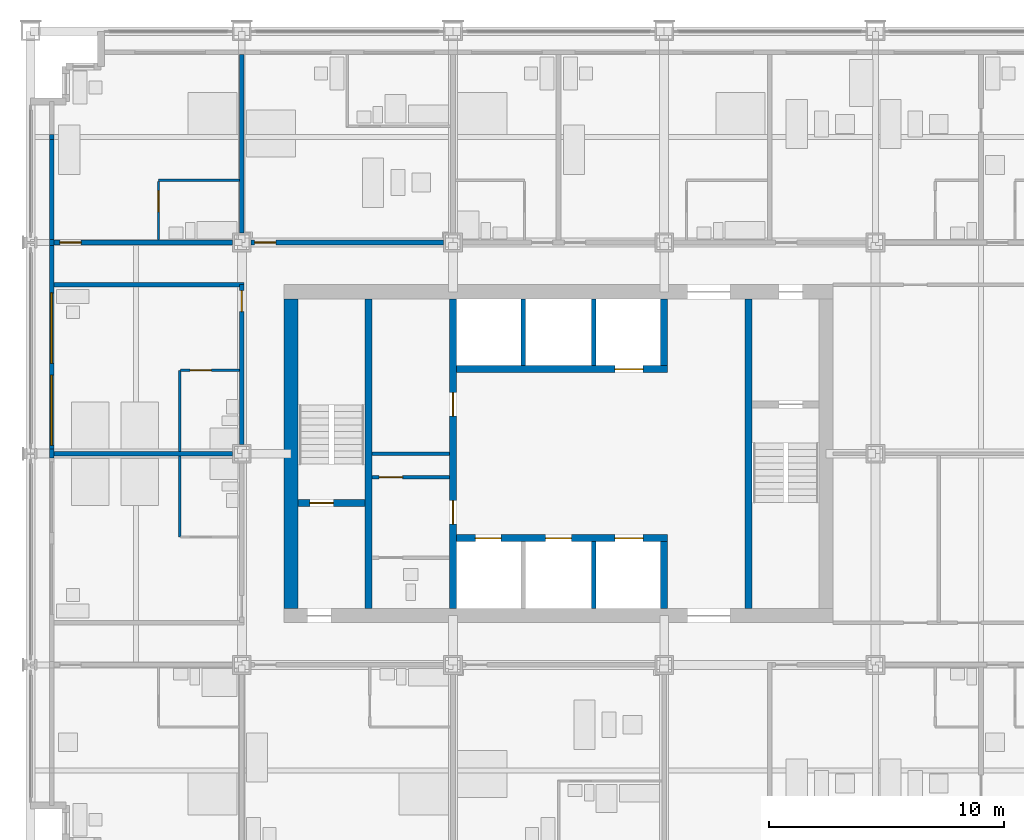
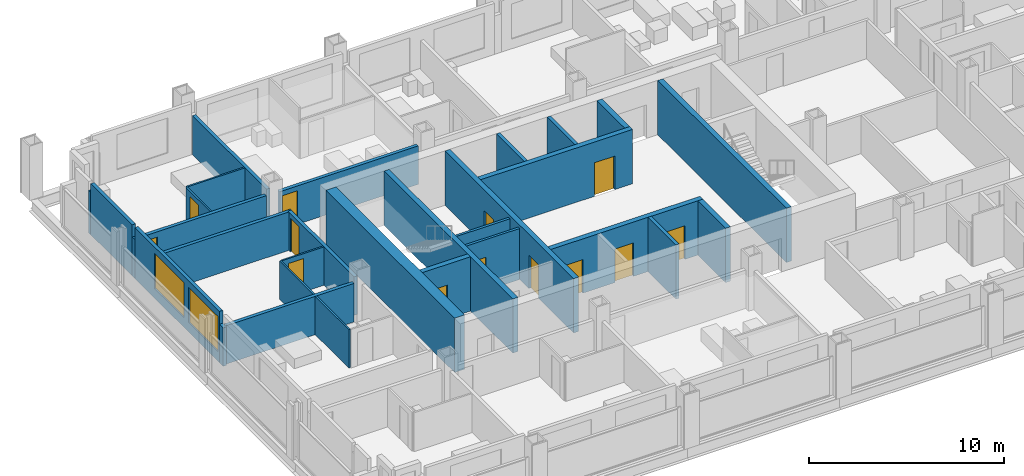
# One storey, part 11 of 18: 30 walls, 13 doors, 2 windows, 15 openings.
"""IFC4 building model written with IfcOpenShell, lengths in metres."""

import ifcopenshell
import ifcopenshell.guid

model = None  # the IFC model being written
_history = None  # IfcOwnerHistory: only IFC2X3 demands one
_inside = {}  # id of a spatial element -> (the spatial element, [elements in it])
_under = {}  # id of a project, library or spatial element -> (it, [spatial elements below it])
_declared = {}  # id of a project -> (the project, [libraries it declares])
_typed = {}  # id of a type object -> (the type object, [elements of that type])
_made_of = {}  # id of a material, layer set ... -> (it, [elements and type objects made of it])


def new_model(schema):
    """Start an empty IFC model of exactly this schema.

    Asked for "IFC4X3", IfcOpenShell would pick the latest addendum, in which some entities
    have other attributes; the version numbers below select the first issue.
    IFC2X3 requires an IfcOwnerHistory on every rooted entity: one is made here for all.
    """
    global model, _history
    if schema == "IFC4X3":
        model = ifcopenshell.file(schema_version=(4, 3, 0, 0))
    else:
        model = ifcopenshell.file(schema=schema)
    _inside.clear()
    _under.clear()
    _declared.clear()
    _typed.clear()
    _made_of.clear()
    _history = None
    if model.schema == "IFC2X3":
        org = make("IfcOrganization", Name="unknown")
        user = make(
            "IfcPersonAndOrganization",
            ThePerson=make("IfcPerson", FamilyName="unknown"),
            TheOrganization=org,
        )
        app = make(
            "IfcApplication",
            ApplicationDeveloper=org,
            Version="unknown",
            ApplicationFullName="unknown",
            ApplicationIdentifier="unknown",
        )
        _history = make(
            "IfcOwnerHistory",
            OwningUser=user,
            OwningApplication=app,
            ChangeAction="ADDED",
            CreationDate=0,
        )
    return model


def make(cls, **values):
    """One entity of the class cls with the attributes given. An attribute that is None is left unset."""
    return model.create_entity(
        cls, **{name: value for name, value in values.items() if value is not None}
    )


def rooted(cls, **values):
    """An entity with a GlobalId (a new one), such as an element, a storey or a relation."""
    return make(cls, GlobalId=ifcopenshell.guid.new(), OwnerHistory=_history, **values)


def si_unit(unit_type, name, prefix=None):
    """IfcSIUnit, for example si_unit("LENGTHUNIT", "METRE", prefix="MILLI")."""
    return make("IfcSIUnit", UnitType=unit_type, Prefix=prefix, Name=name)


def assignment(units):
    """IfcUnitAssignment: the units of a project."""
    return None if units is None else make("IfcUnitAssignment", Units=units)


def point(xyz):
    """IfcCartesianPoint."""
    return None if xyz is None else make("IfcCartesianPoint", Coordinates=xyz)


def direction(xyz):
    """IfcDirection."""
    return None if xyz is None else make("IfcDirection", DirectionRatios=xyz)


def frame(location, z_axis=None, x_axis=None):
    """IfcAxis2Placement3D, a coordinate frame: its origin and axes. An axis left out is left unset."""
    return make(
        "IfcAxis2Placement3D",
        Location=point(location),
        Axis=direction(z_axis),
        RefDirection=direction(x_axis),
    )


def frame_2d(location, x_axis=None):
    """IfcAxis2Placement2D, a coordinate frame in the plane: its origin and x axis."""
    return make(
        "IfcAxis2Placement2D", Location=point(location), RefDirection=direction(x_axis)
    )


def origin():
    """The frame at (0, 0, 0) with its axes left unset."""
    return frame((0.0, 0.0, 0.0))


def place(relative_to, where):
    """IfcLocalPlacement: puts the frame where relative to a parent placement (None: the world)."""
    return make(
        "IfcLocalPlacement", PlacementRelTo=relative_to, RelativePlacement=where
    )


def context(
    kind, dimensions, precision=None, world=None, true_north=None, identifier=None
):
    """IfcGeometricRepresentationContext, for example the 3D "Model" context."""
    return make(
        "IfcGeometricRepresentationContext",
        ContextIdentifier=identifier,
        ContextType=kind,
        CoordinateSpaceDimension=dimensions,
        Precision=precision,
        WorldCoordinateSystem=world,
        TrueNorth=true_north,
    )


def subcontext(parent, identifier, kind, view, scale=None):
    """IfcGeometricRepresentationSubContext, for example "Body" below "Model"."""
    return make(
        "IfcGeometricRepresentationSubContext",
        ContextIdentifier=identifier,
        ContextType=kind,
        ParentContext=parent,
        TargetScale=scale,
        TargetView=view,
    )


def project(units=None, contexts=None):
    """IfcProject with its units and contexts."""
    return rooted(
        "IfcProject",
        Name="project",
        RepresentationContexts=contexts,
        UnitsInContext=assignment(units),
    )


def spatial(cls, under=None, at=None, **own):
    """A site, building, storey or space (cls), placed at a placement, below another one or the project."""
    s = rooted(cls, ObjectPlacement=at, **own)
    if under is not None:
        _under.setdefault(under.id(), (under, []))[1].append(s)
    return s


def profile(cls, at=None, kind="AREA", **sizes):
    """A parametric profile (cls). Its sizes go by their IFC names, for example OverallWidth=200.0."""
    return make(cls, ProfileType=kind, Position=at, **sizes)


def rectangle(**sizes):
    """IfcRectangleProfileDef."""
    return profile("IfcRectangleProfileDef", **sizes)


def extrude(swept, where, along, depth):
    """IfcExtrudedAreaSolid: the profile swept, set in the frame where, extruded along a direction by depth."""
    return make(
        "IfcExtrudedAreaSolid",
        SweptArea=swept,
        Position=where,
        ExtrudedDirection=direction(along),
        Depth=depth,
    )


def shape(context_of_items, identifier, shape_type, items):
    """IfcShapeRepresentation: the items that make up one representation, for example the "Body"."""
    return make(
        "IfcShapeRepresentation",
        ContextOfItems=context_of_items,
        RepresentationIdentifier=identifier,
        RepresentationType=shape_type,
        Items=items,
    )


def material(Name=None, Category=None):
    """IfcMaterial."""
    return make("IfcMaterial", Name=Name, Category=Category)


def layer(
    of_material, thickness, ventilated=None, Name=None, Category=None, Priority=None
):
    """IfcMaterialLayer: one layer of a wall or slab, of a material (None: an air gap)."""
    return make(
        "IfcMaterialLayer",
        Material=of_material,
        LayerThickness=thickness,
        IsVentilated=ventilated,
        Name=Name,
        Category=Category,
        Priority=Priority,
    )


def layer_set(layers, Name=None):
    """IfcMaterialLayerSet."""
    return make("IfcMaterialLayerSet", MaterialLayers=layers, LayerSetName=Name)


def made_of(thing, what):
    """Note that an element or type object is made of a material, layer set ...; save() writes the relation."""
    if what is not None:
        _made_of.setdefault(what.id(), (what, []))[1].append(thing)
    return thing


def type_object(cls, material=None, **own):
    """A type object (cls), such as IfcWallType, which elements share."""
    return made_of(rooted(cls, **own), material)


def element(
    cls,
    number,
    at=None,
    inside=None,
    cuts=None,
    type_object=None,
    material=None,
    context=None,
    identifier="Body",
    shape_type=None,
    held_by="IfcProductDefinitionShape",
    body=None,
    shapes=None,
    **own,
):
    """One element of the class cls, such as IfcWall. Its Tag is "e" and its number.

    at: its placement. inside: the storey or other place that contains it. cuts: it is an
    opening in that element (IfcRelVoidsElement). A single representation is given by context,
    identifier, shape_type and body (its items); several are given by shapes. held_by: the class
    of the entity that holds the representations. save() writes the other relations.
    """
    e = rooted(cls, Tag="e%d" % number, ObjectPlacement=at, **own)
    if body is not None:
        shapes = [shape(context, identifier, shape_type, body)]
    if shapes is not None:
        e.Representation = make(held_by, Representations=shapes)
    if inside is not None:
        _inside.setdefault(inside.id(), (inside, []))[1].append(e)
    if cuts is not None:
        rooted(
            "IfcRelVoidsElement", RelatingBuildingElement=cuts, RelatedOpeningElement=e
        )
    if type_object is not None:
        _typed.setdefault(type_object.id(), (type_object, []))[1].append(e)
    return made_of(e, material)


def fill(opening, filler):
    """IfcRelFillsElement: the door or window that sits in an opening."""
    return rooted(
        "IfcRelFillsElement",
        RelatingOpeningElement=opening,
        RelatedBuildingElement=filler,
    )


def aggregate(whole, parts):
    """IfcRelAggregates: a whole, such as a stair, and the parts it consists of."""
    return rooted("IfcRelAggregates", RelatingObject=whole, RelatedObjects=parts)


def save(model, path):
    """Write the relations noted so far, then the file.

    IfcRelAggregates (storeys below a building ...), IfcRelContainedInSpatialStructure (elements
    in a storey), IfcRelDefinesByType, IfcRelAssociatesMaterial and IfcRelDeclares: one each for
    every whole, place, type object, material and project.
    """
    for whole, parts in _under.values():
        aggregate(whole, parts)
    for where, things in _inside.values():
        rooted(
            "IfcRelContainedInSpatialStructure",
            RelatedElements=things,
            RelatingStructure=where,
        )
    for kind, things in _typed.values():
        rooted("IfcRelDefinesByType", RelatedObjects=things, RelatingType=kind)
    for what, things in _made_of.values():
        rooted("IfcRelAssociatesMaterial", RelatedObjects=things, RelatingMaterial=what)
    for by, libraries in _declared.values():
        rooted("IfcRelDeclares", RelatingContext=by, RelatedDefinitions=libraries)
    model.write(path)


model = new_model("IFC4")

# Units and contexts
model_context = context("Model", 3, precision=1e-05, world=origin(), true_north=direction((0.0, 1.0)))
body_context = subcontext(model_context, "Body", "Model", "MODEL_VIEW")
ifc_project = project(units=[si_unit("LENGTHUNIT", "METRE"), si_unit("AREAUNIT", "SQUARE_METRE"), si_unit("VOLUMEUNIT", "CUBIC_METRE"), si_unit("PLANEANGLEUNIT", "RADIAN"), si_unit("MASSUNIT", "GRAM", prefix="KILO")], contexts=[model_context])

# Site, building, storey
site_placement = place(None, origin())
site = spatial("IfcSite", under=ifc_project, at=site_placement, CompositionType="ELEMENT")
building_placement = place(site_placement, origin())
building = spatial("IfcBuilding", under=site, at=building_placement, Name="Loomwork Tower", CompositionType="ELEMENT")
storey_placement = place(building_placement, frame((0.0, 0.0, 75.60009765625)))
storey = spatial("IfcBuildingStorey", under=building, at=storey_placement, Name="L19", CompositionType="ELEMENT", Elevation=75.60009765625)

# Wall
ifc_material_1 = material(Name="Concrete 14000 psi (97 MPa)", Category="concrete")
ifc_layer_1 = layer(ifc_material_1, 0.300048828125)
ifc_layer_set_1 = layer_set([ifc_layer_1], Name="Core shear wall 300")
wall_type_1 = type_object("IfcWallType", Name="Core shear wall 300", PredefinedType="SHEAR", material=ifc_layer_set_1)
wall_1_placement = place(storey_placement, frame((14.39990234375, 11.39990234375, 0.0), z_axis=(0.0, 0.0, 1.0), x_axis=(0.0, 1.0, 0.0)))
element("IfcWall", 1, at=wall_1_placement, inside=storey, type_object=wall_type_1, Name="Stair A east wall L19", PredefinedType="SHEAR", context=body_context, shape_type="SweptSolid", body=[
    extrude(rectangle(XDim=13.2001953125, YDim=0.300048828125, at=frame_2d((6.60009765625, 0.0))), origin(), (0.0, 0.0, 1.0), 3.39990234375),
])

# Wall, opening, door
wall_2_placement = place(storey_placement, frame((11.39990234375, 15.89990234375, 0.0), z_axis=(0.0, 0.0, 1.0), x_axis=(1.0, 0.0, 0.0)))
wall_2 = element("IfcWall", 2, at=wall_2_placement, inside=storey, type_object=wall_type_1, Name="Stair A south wall L19", PredefinedType="SHEAR", context=body_context, shape_type="SweptSolid", body=[
    extrude(rectangle(XDim=2.85009765625, YDim=0.300048828125, at=frame_2d((1.425048828125, 0.0))), origin(), (0.0, 0.0, 1.0), 3.39990234375),
])
opening_1_placement = place(wall_2_placement, frame((0.5, 0.0, 0.0)))
opening_1 = element("IfcOpeningElement", 3, at=opening_1_placement, cuts=wall_2, Name="Opening D4", PredefinedType="OPENING", context=body_context, shape_type="SweptSolid", body=[
    extrude(rectangle(XDim=1.0, YDim=2.10009765625, at=frame_2d((0.5, 1.050048828125))), frame((0.0, 0.159912109375, 0.0), z_axis=(0.0, -1.0, 0.0), x_axis=(1.0, 0.0, 0.0)), (0.0, 0.0, 1.0), 0.320068359375),
])
ifc_material_2 = material(Name="Hollow metal door and frame")
door_type_1 = type_object("IfcDoorType", Name="Stair door 1000", OperationType="SINGLE_SWING_RIGHT", PredefinedType="DOOR", material=ifc_material_2)
door_1_placement = place(opening_1_placement, origin())
door_1 = element("IfcDoor", 4, at=door_1_placement, inside=storey, type_object=door_type_1, Name="Stair A door", OperationType="SINGLE_SWING_LEFT", OverallHeight=2.10009765625, OverallWidth=1.0, PredefinedType="DOOR", context=body_context, shape_type="SweptSolid", body=[
    extrude(rectangle(XDim=1.0, YDim=2.10009765625, at=frame_2d((0.5, 1.050048828125))), frame((0.0, 0.02490234375, 0.0), z_axis=(0.0, -1.0, 0.0), x_axis=(1.0, 0.0, 0.0)), (0.0, 0.0, 1.0), 0.050048828125),
])
fill(opening_1, door_1)

# Wall, openings, doors
wall_3_placement = place(storey_placement, frame((18.0, 11.39990234375, 0.0), z_axis=(0.0, 0.0, 1.0), x_axis=(0.0, 1.0, 0.0)))
wall_3 = element("IfcWall", 5, at=wall_3_placement, inside=storey, type_object=wall_type_1, Name="Lobby west wall L19", PredefinedType="SHEAR", context=body_context, shape_type="SweptSolid", body=[
    extrude(rectangle(XDim=13.2001953125, YDim=0.300048828125, at=frame_2d((6.60009765625, 0.0))), origin(), (0.0, 0.0, 1.0), 3.39990234375),
])
opening_2_placement = place(wall_3_placement, frame((3.60009765625, 0.0, 0.0)))
opening_2 = element("IfcOpeningElement", 6, at=opening_2_placement, cuts=wall_3, Name="Opening D5", PredefinedType="OPENING", context=body_context, shape_type="SweptSolid", body=[
    extrude(rectangle(XDim=1.0, YDim=2.10009765625, at=frame_2d((0.5, 1.050048828125))), frame((0.0, 0.159912109375, 0.0), z_axis=(0.0, -1.0, 0.0), x_axis=(1.0, 0.0, 0.0)), (0.0, 0.0, 1.0), 0.320068359375),
])
opening_3_placement = place(wall_3_placement, frame((8.199951171875, 0.0, 0.0)))
opening_3 = element("IfcOpeningElement", 7, at=opening_3_placement, cuts=wall_3, Name="Opening D5", PredefinedType="OPENING", context=body_context, shape_type="SweptSolid", body=[
    extrude(rectangle(XDim=1.0, YDim=2.10009765625, at=frame_2d((0.5, 1.050048828125))), frame((0.0, 0.159912109375, 0.0), z_axis=(0.0, -1.0, 0.0), x_axis=(1.0, 0.0, 0.0)), (0.0, 0.0, 1.0), 0.320068359375),
])
ifc_material_3 = material(Name="Hollow metal door and frame")
door_type_2 = type_object("IfcDoorType", Name="Service door 1000", OperationType="SINGLE_SWING_LEFT", PredefinedType="DOOR", material=ifc_material_3)
door_2_placement = place(opening_2_placement, origin())
door_2 = element("IfcDoor", 8, at=door_2_placement, inside=storey, type_object=door_type_2, Name="Back-of-house door south", OperationType="SINGLE_SWING_LEFT", OverallHeight=2.10009765625, OverallWidth=1.0, PredefinedType="DOOR", context=body_context, shape_type="SweptSolid", body=[
    extrude(rectangle(XDim=1.0, YDim=2.10009765625, at=frame_2d((0.5, 1.050048828125))), frame((0.0, 0.02490234375, 0.0), z_axis=(0.0, -1.0, 0.0), x_axis=(1.0, 0.0, 0.0)), (0.0, 0.0, 1.0), 0.050048828125),
])
fill(opening_2, door_2)
door_3_placement = place(opening_3_placement, origin())
door_3 = element("IfcDoor", 9, at=door_3_placement, inside=storey, type_object=door_type_2, Name="Back-of-house door north", OperationType="SINGLE_SWING_RIGHT", OverallHeight=2.10009765625, OverallWidth=1.0, PredefinedType="DOOR", context=body_context, shape_type="SweptSolid", body=[
    extrude(rectangle(XDim=1.0, YDim=2.10009765625, at=frame_2d((0.5, 1.050048828125))), frame((0.0, 0.02490234375, 0.0), z_axis=(0.0, -1.0, 0.0), x_axis=(1.0, 0.0, 0.0)), (0.0, 0.0, 1.0), 0.050048828125),
])
fill(opening_3, door_3)

wall_4_placement = place(storey_placement, frame((18.14990234375, 14.39990234375, 0.0), z_axis=(0.0, 0.0, 1.0), x_axis=(1.0, 0.0, 0.0)))
wall_4 = element("IfcWall", 10, at=wall_4_placement, inside=storey, type_object=wall_type_1, Name="Lift front wall south L19", PredefinedType="SHEAR", context=body_context, shape_type="SweptSolid", body=[
    extrude(rectangle(XDim=9.0, YDim=0.300048828125, at=frame_2d((4.5, 0.0))), origin(), (0.0, 0.0, 1.0), 3.39990234375),
])
opening_4_placement = place(wall_4_placement, frame((0.800048828125, 0.0, 0.0)))
opening_4 = element("IfcOpeningElement", 11, at=opening_4_placement, cuts=wall_4, Name="Opening LD1", PredefinedType="OPENING", context=body_context, shape_type="SweptSolid", body=[
    extrude(rectangle(XDim=1.10009765625, YDim=2.10009765625, at=frame_2d((0.550048828125, 1.050048828125))), frame((0.0, 0.159912109375, 0.0), z_axis=(0.0, -1.0, 0.0), x_axis=(1.0, 0.0, 0.0)), (0.0, 0.0, 1.0), 0.320068359375),
])
opening_5_placement = place(wall_4_placement, frame((3.800048828125, 0.0, 0.0)))
opening_5 = element("IfcOpeningElement", 12, at=opening_5_placement, cuts=wall_4, Name="Opening LD1", PredefinedType="OPENING", context=body_context, shape_type="SweptSolid", body=[
    extrude(rectangle(XDim=1.10009765625, YDim=2.10009765625, at=frame_2d((0.550048828125, 1.050048828125))), frame((0.0, 0.159912109375, 0.0), z_axis=(0.0, -1.0, 0.0), x_axis=(1.0, 0.0, 0.0)), (0.0, 0.0, 1.0), 0.320068359375),
])
opening_6_placement = place(wall_4_placement, frame((6.75, 0.0, 0.0)))
opening_6 = element("IfcOpeningElement", 13, at=opening_6_placement, cuts=wall_4, Name="Opening LD2", PredefinedType="OPENING", context=body_context, shape_type="SweptSolid", body=[
    extrude(rectangle(XDim=1.199951171875, YDim=2.10009765625, at=frame_2d((0.60009765625, 1.050048828125))), frame((0.0, 0.159912109375, 0.0), z_axis=(0.0, -1.0, 0.0), x_axis=(1.0, 0.0, 0.0)), (0.0, 0.0, 1.0), 0.320068359375),
])
ifc_material_4 = material(Name="Hollow metal door and frame")
door_type_3 = type_object("IfcDoorType", Name="Lift landing door 1100", OperationType="SLIDING_TO_LEFT", PredefinedType="DOOR", material=ifc_material_4)
door_4_placement = place(opening_4_placement, origin())
door_4 = element("IfcDoor", 14, at=door_4_placement, inside=storey, type_object=door_type_3, Name="Lift landing door LA1", OperationType="SLIDING_TO_LEFT", OverallHeight=2.10009765625, OverallWidth=1.10009765625, PredefinedType="DOOR", context=body_context, shape_type="SweptSolid", body=[
    extrude(rectangle(XDim=1.10009765625, YDim=2.10009765625, at=frame_2d((0.550048828125, 1.050048828125))), frame((0.0, 0.02490234375, 0.0), z_axis=(0.0, -1.0, 0.0), x_axis=(1.0, 0.0, 0.0)), (0.0, 0.0, 1.0), 0.050048828125),
])
fill(opening_4, door_4)
door_5_placement = place(opening_5_placement, origin())
door_5 = element("IfcDoor", 15, at=door_5_placement, inside=storey, type_object=door_type_3, Name="Lift landing door LA2", OperationType="SLIDING_TO_LEFT", OverallHeight=2.10009765625, OverallWidth=1.10009765625, PredefinedType="DOOR", context=body_context, shape_type="SweptSolid", body=[
    extrude(rectangle(XDim=1.10009765625, YDim=2.10009765625, at=frame_2d((0.550048828125, 1.050048828125))), frame((0.0, 0.02490234375, 0.0), z_axis=(0.0, -1.0, 0.0), x_axis=(1.0, 0.0, 0.0)), (0.0, 0.0, 1.0), 0.050048828125),
])
fill(opening_5, door_5)
ifc_material_5 = material(Name="Hollow metal door and frame")
door_type_4 = type_object("IfcDoorType", Name="Lift landing door 1200", OperationType="SLIDING_TO_LEFT", PredefinedType="DOOR", material=ifc_material_5)
door_6_placement = place(opening_6_placement, origin())
door_6 = element("IfcDoor", 16, at=door_6_placement, inside=storey, type_object=door_type_4, Name="Lift landing door LF1", OperationType="SLIDING_TO_LEFT", OverallHeight=2.10009765625, OverallWidth=1.199951171875, PredefinedType="DOOR", context=body_context, shape_type="SweptSolid", body=[
    extrude(rectangle(XDim=1.199951171875, YDim=2.10009765625, at=frame_2d((0.60009765625, 1.050048828125))), frame((0.0, 0.02490234375, 0.0), z_axis=(0.0, -1.0, 0.0), x_axis=(1.0, 0.0, 0.0)), (0.0, 0.0, 1.0), 0.050048828125),
])
fill(opening_6, door_6)

# Wall
wall_5_placement = place(storey_placement, frame((27.0, 11.39990234375, 0.0), z_axis=(0.0, 0.0, 1.0), x_axis=(0.0, 1.0, 0.0)))
element("IfcWall", 17, at=wall_5_placement, inside=storey, type_object=wall_type_1, Name="Lift shaft end wall south L19", PredefinedType="SHEAR", context=body_context, shape_type="SweptSolid", body=[
    extrude(rectangle(XDim=2.85009765625, YDim=0.300048828125, at=frame_2d((1.425048828125, 0.0))), origin(), (0.0, 0.0, 1.0), 3.39990234375),
])

# Wall, opening, door
wall_6_placement = place(storey_placement, frame((18.14990234375, 21.60009765625, 0.0), z_axis=(0.0, 0.0, 1.0), x_axis=(1.0, 0.0, 0.0)))
wall_6 = element("IfcWall", 18, at=wall_6_placement, inside=storey, type_object=wall_type_1, Name="Lift front wall north L19", PredefinedType="SHEAR", context=body_context, shape_type="SweptSolid", body=[
    extrude(rectangle(XDim=9.0, YDim=0.300048828125, at=frame_2d((4.5, 0.0))), origin(), (0.0, 0.0, 1.0), 3.39990234375),
])
opening_7_placement = place(wall_6_placement, frame((6.75, 0.0, 0.0)))
opening_7 = element("IfcOpeningElement", 19, at=opening_7_placement, cuts=wall_6, Name="Opening LD2", PredefinedType="OPENING", context=body_context, shape_type="SweptSolid", body=[
    extrude(rectangle(XDim=1.199951171875, YDim=2.10009765625, at=frame_2d((0.60009765625, 1.050048828125))), frame((0.0, 0.159912109375, 0.0), z_axis=(0.0, -1.0, 0.0), x_axis=(1.0, 0.0, 0.0)), (0.0, 0.0, 1.0), 0.320068359375),
])
door_7_placement = place(opening_7_placement, origin())
door_7 = element("IfcDoor", 20, at=door_7_placement, inside=storey, type_object=door_type_4, Name="Lift landing door LF2", OperationType="SLIDING_TO_LEFT", OverallHeight=2.10009765625, OverallWidth=1.199951171875, PredefinedType="DOOR", context=body_context, shape_type="SweptSolid", body=[
    extrude(rectangle(XDim=1.199951171875, YDim=2.10009765625, at=frame_2d((0.60009765625, 1.050048828125))), frame((0.0, 0.02490234375, 0.0), z_axis=(0.0, -1.0, 0.0), x_axis=(1.0, 0.0, 0.0)), (0.0, 0.0, 1.0), 0.050048828125),
])
fill(opening_7, door_7)

# Walls
wall_7_placement = place(storey_placement, frame((27.0, 21.75, 0.0), z_axis=(0.0, 0.0, 1.0), x_axis=(0.0, 1.0, 0.0)))
element("IfcWall", 21, at=wall_7_placement, inside=storey, type_object=wall_type_1, Name="Lift shaft end wall north L19", PredefinedType="SHEAR", context=body_context, shape_type="SweptSolid", body=[
    extrude(rectangle(XDim=2.85009765625, YDim=0.300048828125, at=frame_2d((1.425048828125, 0.0))), origin(), (0.0, 0.0, 1.0), 3.39990234375),
])
wall_8_placement = place(storey_placement, frame((30.60009765625, 11.39990234375, 0.0), z_axis=(0.0, 0.0, 1.0), x_axis=(0.0, 1.0, 0.0)))
element("IfcWall", 22, at=wall_8_placement, inside=storey, type_object=wall_type_1, Name="Stair B west wall L19", PredefinedType="SHEAR", context=body_context, shape_type="SweptSolid", body=[
    extrude(rectangle(XDim=13.2001953125, YDim=0.300048828125, at=frame_2d((6.60009765625, 0.0))), origin(), (0.0, 0.0, 1.0), 3.39990234375),
])
ifc_material_6 = material(Name="Concrete 14000 psi (97 MPa)", Category="concrete")
ifc_layer_2 = layer(ifc_material_6, 0.60009765625)
ifc_layer_set_2 = layer_set([ifc_layer_2], Name="Core shear wall 600")
wall_type_2 = type_object("IfcWallType", Name="Core shear wall 600", PredefinedType="SHEAR", material=ifc_layer_set_2)
wall_9_placement = place(storey_placement, frame((11.10009765625, 11.39990234375, 0.0), z_axis=(0.0, 0.0, 1.0), x_axis=(0.0, 1.0, 0.0)))
element("IfcWall", 23, at=wall_9_placement, inside=storey, type_object=wall_type_2, Name="Core wall west L19", PredefinedType="SHEAR", context=body_context, shape_type="SweptSolid", body=[
    extrude(rectangle(XDim=13.2001953125, YDim=0.60009765625, at=frame_2d((6.60009765625, 0.0))), origin(), (0.0, 0.0, 1.0), 3.39990234375),
])

# Wall, opening, door
ifc_material_7 = material(Name="Gypsum board on steel studs, one-hour", Category="steel")
ifc_layer_3 = layer(ifc_material_7, 0.199951171875)
ifc_layer_set_3 = layer_set([ifc_layer_3], Name="Corridor wall 200")
wall_type_3 = type_object("IfcWallType", Name="Corridor wall 200", PredefinedType="PARTITIONING", material=ifc_layer_set_3)
wall_10_placement = place(storey_placement, frame((1.0, 27.0, 0.0), z_axis=(0.0, 0.0, 1.0), x_axis=(1.0, 0.0, 0.0)))
wall_10 = element("IfcWall", 24, at=wall_10_placement, inside=storey, type_object=wall_type_3, Name="North corridor wall 1", PredefinedType="PARTITIONING", context=body_context, shape_type="SweptSolid", body=[
    extrude(rectangle(XDim=7.60009765625, YDim=0.199951171875, at=frame_2d((3.800048828125, 0.0))), origin(), (0.0, 0.0, 1.0), 2.43798828125),
])
opening_8_placement = place(wall_10_placement, frame((0.25, 0.0, 0.0)))
opening_8 = element("IfcOpeningElement", 25, at=opening_8_placement, cuts=wall_10, Name="Opening D1", PredefinedType="OPENING", context=body_context, shape_type="SweptSolid", body=[
    extrude(rectangle(XDim=0.89990234375, YDim=2.10009765625, at=frame_2d((0.449951171875, 1.050048828125))), frame((0.0, 0.10986328125, 0.0), z_axis=(0.0, -1.0, 0.0), x_axis=(1.0, 0.0, 0.0)), (0.0, 0.0, 1.0), 0.219970703125),
])
ifc_material_8 = material(Name="Hollow metal door and frame")
door_type_5 = type_object("IfcDoorType", Name="Guest room entry door 900", OperationType="SINGLE_SWING_LEFT", PredefinedType="DOOR", material=ifc_material_8)
door_8_placement = place(opening_8_placement, origin())
door_8 = element("IfcDoor", 26, at=door_8_placement, inside=storey, type_object=door_type_5, Name="Guest room entry door L19 7", OperationType="SINGLE_SWING_LEFT", OverallHeight=2.10009765625, OverallWidth=0.89990234375, PredefinedType="DOOR", context=body_context, shape_type="SweptSolid", body=[
    extrude(rectangle(XDim=0.89990234375, YDim=2.10009765625, at=frame_2d((0.449951171875, 1.050048828125))), frame((0.0, 0.02490234375, 0.0), z_axis=(0.0, -1.0, 0.0), x_axis=(1.0, 0.0, 0.0)), (0.0, 0.0, 1.0), 0.050048828125),
])
fill(opening_8, door_8)

wall_11_placement = place(storey_placement, frame((9.39990234375, 27.0, 0.0), z_axis=(0.0, 0.0, 1.0), x_axis=(1.0, 0.0, 0.0)))
wall_11 = element("IfcWall", 27, at=wall_11_placement, inside=storey, type_object=wall_type_3, Name="North corridor wall 2", PredefinedType="PARTITIONING", context=body_context, shape_type="SweptSolid", body=[
    extrude(rectangle(XDim=8.2001953125, YDim=0.199951171875, at=frame_2d((4.10009765625, 0.0))), origin(), (0.0, 0.0, 1.0), 2.40478515625),
])
opening_9_placement = place(wall_11_placement, frame((0.14990234375, 0.0, 0.0)))
opening_9 = element("IfcOpeningElement", 28, at=opening_9_placement, cuts=wall_11, Name="Opening D1", PredefinedType="OPENING", context=body_context, shape_type="SweptSolid", body=[
    extrude(rectangle(XDim=0.89990234375, YDim=2.10009765625, at=frame_2d((0.449951171875, 1.050048828125))), frame((0.0, 0.10986328125, 0.0), z_axis=(0.0, -1.0, 0.0), x_axis=(1.0, 0.0, 0.0)), (0.0, 0.0, 1.0), 0.219970703125),
])
door_9_placement = place(opening_9_placement, origin())
door_9 = element("IfcDoor", 29, at=door_9_placement, inside=storey, type_object=door_type_5, Name="Guest room entry door L19 8", OperationType="SINGLE_SWING_LEFT", OverallHeight=2.10009765625, OverallWidth=0.89990234375, PredefinedType="DOOR", context=body_context, shape_type="SweptSolid", body=[
    extrude(rectangle(XDim=0.89990234375, YDim=2.10009765625, at=frame_2d((0.449951171875, 1.050048828125))), frame((0.0, 0.02490234375, 0.0), z_axis=(0.0, -1.0, 0.0), x_axis=(1.0, 0.0, 0.0)), (0.0, 0.0, 1.0), 0.050048828125),
])
fill(opening_9, door_9)

wall_12_placement = place(storey_placement, frame((9.0, 18.39990234375, 0.0), z_axis=(0.0, 0.0, 1.0), x_axis=(0.0, 1.0, 0.0)))
wall_12 = element("IfcWall", 30, at=wall_12_placement, inside=storey, type_object=wall_type_3, Name="West corridor wall 2", PredefinedType="PARTITIONING", context=body_context, shape_type="SweptSolid", body=[
    extrude(rectangle(XDim=6.800048828125, YDim=0.199951171875, at=frame_2d((3.39990234375, 0.0))), origin(), (0.0, 0.0, 1.0), 2.40478515625),
])
opening_10_placement = place(wall_12_placement, frame((5.64990234375, 0.0, 0.0)))
opening_10 = element("IfcOpeningElement", 31, at=opening_10_placement, cuts=wall_12, Name="Opening D1", PredefinedType="OPENING", context=body_context, shape_type="SweptSolid", body=[
    extrude(rectangle(XDim=0.89990234375, YDim=2.10009765625, at=frame_2d((0.449951171875, 1.050048828125))), frame((0.0, 0.10986328125, 0.0), z_axis=(0.0, -1.0, 0.0), x_axis=(1.0, 0.0, 0.0)), (0.0, 0.0, 1.0), 0.219970703125),
])
door_10_placement = place(opening_10_placement, origin())
door_10 = element("IfcDoor", 32, at=door_10_placement, inside=storey, type_object=door_type_5, Name="Guest room entry door L19 15", OperationType="SINGLE_SWING_RIGHT", OverallHeight=2.10009765625, OverallWidth=0.89990234375, PredefinedType="DOOR", context=body_context, shape_type="SweptSolid", body=[
    extrude(rectangle(XDim=0.89990234375, YDim=2.10009765625, at=frame_2d((0.449951171875, 1.050048828125))), frame((0.0, 0.02490234375, 0.0), z_axis=(0.0, -1.0, 0.0), x_axis=(1.0, 0.0, 0.0)), (0.0, 0.0, 1.0), 0.050048828125),
])
fill(opening_10, door_10)

# Walls
wall_13_placement = place(storey_placement, frame((1.0, 25.199951171875, 0.0), z_axis=(0.0, 0.0, 1.0), x_axis=(1.0, 0.0, 0.0)))
element("IfcWall", 33, at=wall_13_placement, inside=storey, type_object=wall_type_3, Name="West band end wall N", PredefinedType="PARTITIONING", context=body_context, shape_type="SweptSolid", body=[
    extrude(rectangle(XDim=8.10009765625, YDim=0.199951171875, at=frame_2d((4.050048828125, 0.0))), origin(), (0.0, 0.0, 1.0), 2.40380859375),
])
ifc_material_9 = material(Name="Cement board on steel studs", Category="steel")
ifc_layer_4 = layer(ifc_material_9, 0.10009765625)
ifc_layer_set_4 = layer_set([ifc_layer_4], Name="En-suite partition 100")
wall_type_4 = type_object("IfcWallType", Name="En-suite partition 100", PredefinedType="PARTITIONING", material=ifc_layer_set_4)
wall_14_placement = place(storey_placement, frame((5.449951171875, 29.64990234375, 0.0), z_axis=(0.0, 0.0, 1.0), x_axis=(1.0, 0.0, 0.0)))
element("IfcWall", 34, at=wall_14_placement, inside=storey, type_object=wall_type_4, Name="En-suite wall L19 room 7", PredefinedType="PARTITIONING", context=body_context, shape_type="SweptSolid", body=[
    extrude(rectangle(XDim=3.449951171875, YDim=0.10009765625, at=frame_2d((1.72509765625, 0.0))), origin(), (0.0, 0.0, 1.0), 2.43798828125),
])

# Wall, opening, door
wall_15_placement = place(storey_placement, frame((5.449951171875, 27.10009765625, 0.0), z_axis=(0.0, 0.0, 1.0), x_axis=(0.0, 1.0, 0.0)))
wall_15 = element("IfcWall", 35, at=wall_15_placement, inside=storey, type_object=wall_type_4, Name="En-suite side wall L19 room 7", PredefinedType="PARTITIONING", context=body_context, shape_type="SweptSolid", body=[
    extrude(rectangle(XDim=2.5, YDim=0.10009765625, at=frame_2d((1.25, 0.0))), origin(), (0.0, 0.0, 1.0), 2.43798828125),
])
opening_11_placement = place(wall_15_placement, frame((1.199951171875, 0.0, 0.0)))
opening_11 = element("IfcOpeningElement", 36, at=opening_11_placement, cuts=wall_15, Name="Opening D2", PredefinedType="OPENING", context=body_context, shape_type="SweptSolid", body=[
    extrude(rectangle(XDim=0.89990234375, YDim=2.10009765625, at=frame_2d((0.449951171875, 1.050048828125))), frame((0.0, 0.06005859375, 0.0), z_axis=(0.0, -1.0, 0.0), x_axis=(1.0, 0.0, 0.0)), (0.0, 0.0, 1.0), 0.1201171875),
])
ifc_material_10 = material(Name="Hollow metal door and frame")
door_type_6 = type_object("IfcDoorType", Name="En-suite door 900", OperationType="SINGLE_SWING_LEFT", PredefinedType="DOOR", material=ifc_material_10)
door_11_placement = place(opening_11_placement, frame((0.89990234375, 0.0, 0.0), z_axis=(0.0, 0.0, 1.0), x_axis=(-1.0, 0.0, 0.0)))
door_11 = element("IfcDoor", 37, at=door_11_placement, inside=storey, type_object=door_type_6, Name="En-suite door room 7", OperationType="SINGLE_SWING_LEFT", OverallHeight=2.10009765625, OverallWidth=0.89990234375, PredefinedType="DOOR", context=body_context, shape_type="SweptSolid", body=[
    extrude(rectangle(XDim=0.89990234375, YDim=2.10009765625, at=frame_2d((0.449951171875, 1.050048828125))), frame((0.0, 0.02490234375, 0.0), z_axis=(0.0, -1.0, 0.0), x_axis=(1.0, 0.0, 0.0)), (0.0, 0.0, 1.0), 0.050048828125),
])
fill(opening_11, door_11)

# Walls
for number, where, z_axis, x_axis, name in (
    (38, (6.35009765625, 14.449951171875, 0.0), (0.0, 0.0, 1.0), (0.0, 1.0, 0.0), "En-suite wall L19 room 14"),
    (39, (6.35009765625, 18.10009765625, 0.0), (0.0, 0.0, 1.0), (0.0, 1.0, 0.0), "En-suite wall L19 room 15"),
):
    element("IfcWall", number, at=place(storey_placement, frame(where, z_axis=z_axis, x_axis=x_axis)), inside=storey, type_object=wall_type_4, Name=name, PredefinedType="PARTITIONING", context=body_context, shape_type="SweptSolid", body=[
        extrude(rectangle(XDim=3.449951171875, YDim=0.10009765625, at=frame_2d((1.72509765625, 0.0))), origin(), (0.0, 0.0, 1.0), 2.40380859375),
    ])

# Wall, opening, door
wall_16_placement = place(storey_placement, frame((8.89990234375, 21.550048828125, 0.0), z_axis=(0.0, 0.0, 1.0), x_axis=(-1.0, 0.0, 0.0)))
wall_16 = element("IfcWall", 40, at=wall_16_placement, inside=storey, type_object=wall_type_4, Name="En-suite side wall L19 room 15", PredefinedType="PARTITIONING", context=body_context, shape_type="SweptSolid", body=[
    extrude(rectangle(XDim=2.5, YDim=0.10009765625, at=frame_2d((1.25, 0.0))), origin(), (0.0, 0.0, 1.0), 2.40380859375),
])
opening_12_placement = place(wall_16_placement, frame((1.199951171875, 0.0, 0.0)))
opening_12 = element("IfcOpeningElement", 41, at=opening_12_placement, cuts=wall_16, Name="Opening D2", PredefinedType="OPENING", context=body_context, shape_type="SweptSolid", body=[
    extrude(rectangle(XDim=0.89990234375, YDim=2.10009765625, at=frame_2d((0.449951171875, 1.050048828125))), frame((0.0, 0.06005859375, 0.0), z_axis=(0.0, -1.0, 0.0), x_axis=(1.0, 0.0, 0.0)), (0.0, 0.0, 1.0), 0.1201171875),
])
door_12_placement = place(opening_12_placement, origin())
door_12 = element("IfcDoor", 42, at=door_12_placement, inside=storey, type_object=door_type_6, Name="En-suite door room 15", OperationType="SINGLE_SWING_RIGHT", OverallHeight=2.10009765625, OverallWidth=0.89990234375, PredefinedType="DOOR", context=body_context, shape_type="SweptSolid", body=[
    extrude(rectangle(XDim=0.89990234375, YDim=2.10009765625, at=frame_2d((0.449951171875, 1.050048828125))), frame((0.0, 0.02490234375, 0.0), z_axis=(0.0, -1.0, 0.0), x_axis=(1.0, 0.0, 0.0)), (0.0, 0.0, 1.0), 0.050048828125),
])
fill(opening_12, door_12)

# Walls
ifc_material_11 = material(Name="Gypsum board on steel studs, acoustic", Category="steel")
ifc_layer_5 = layer(ifc_material_11, 0.199951171875)
ifc_layer_set_5 = layer_set([ifc_layer_5], Name="Guest room party wall 200")
wall_type_5 = type_object("IfcWallType", Name="Guest room party wall 200", PredefinedType="PARTITIONING", material=ifc_layer_set_5)
wall_17_placement = place(storey_placement, frame((9.0, 27.39990234375, 0.0), z_axis=(0.0, 0.0, 1.0), x_axis=(0.0, 1.0, 0.0)))
element("IfcWall", 43, at=wall_17_placement, inside=storey, type_object=wall_type_5, Name="Guest room party wall N 9", PredefinedType="PARTITIONING", context=body_context, shape_type="SweptSolid", body=[
    extrude(rectangle(XDim=7.60009765625, YDim=0.199951171875, at=frame_2d((3.800048828125, 0.0))), origin(), (0.0, 0.0, 1.0), 2.43798828125),
])
wall_18_placement = place(storey_placement, frame((8.60009765625, 18.0, 0.0), z_axis=(0.0, 0.0, 1.0), x_axis=(-1.0, 0.0, 0.0)))
element("IfcWall", 44, at=wall_18_placement, inside=storey, type_object=wall_type_5, Name="Guest room party wall W 18", PredefinedType="PARTITIONING", context=body_context, shape_type="SweptSolid", body=[
    extrude(rectangle(XDim=7.60009765625, YDim=0.199951171875, at=frame_2d((3.800048828125, 0.0))), origin(), (0.0, 0.0, 1.0), 2.40478515625),
])
ifc_material_12 = material(Name="Insulated steel stud wall with gypsum lining", Category="steel")
ifc_layer_6 = layer(ifc_material_12, 0.199951171875)
ifc_layer_set_6 = layer_set([ifc_layer_6], Name="Inner skin wall 200")
wall_type_6 = type_object("IfcWallType", Name="Inner skin wall 200", PredefinedType="SOLIDWALL", material=ifc_layer_set_6)
wall_19_placement = place(storey_placement, frame((0.89990234375, 17.80615234375, 0.0), z_axis=(0.0, 0.0, 1.0), x_axis=(0.0, 1.0, 0.0)))
element("IfcWall", 45, at=wall_19_placement, inside=storey, type_object=wall_type_6, Name="Inner skin wall W bay 6", PredefinedType="SOLIDWALL", context=body_context, shape_type="SweptSolid", body=[
    extrude(rectangle(XDim=0.3876953125, YDim=0.199951171875, at=frame_2d((0.19384765625, 0.0))), origin(), (0.0, 0.0, 1.0), 2.40380859375),
])

# Wall, openings, windows
wall_20_placement = place(storey_placement, frame((0.89990234375, 18.19384765625, 0.0), z_axis=(0.0, 0.0, 1.0), x_axis=(0.0, 1.0, 0.0)))
wall_20 = element("IfcWall", 46, at=wall_20_placement, inside=storey, type_object=wall_type_6, Name="Inner skin wall W bay 7", PredefinedType="SOLIDWALL", context=body_context, shape_type="SweptSolid", body=[
    extrude(rectangle(XDim=8.6708984375, YDim=0.199951171875, at=frame_2d((4.33544921875, 0.0))), origin(), (0.0, 0.0, 1.0), 3.199951171875),
])
opening_13_placement = place(wall_20_placement, frame((0.15625, 0.0, 0.60009765625)))
opening_13 = element("IfcOpeningElement", 47, at=opening_13_placement, cuts=wall_20, Name="Opening CH1", PredefinedType="OPENING", context=body_context, shape_type="SweptSolid", body=[
    extrude(rectangle(XDim=3.0, YDim=2.199951171875, at=frame_2d((1.5, 1.10009765625))), frame((0.0, 0.10986328125, 0.0), z_axis=(0.0, -1.0, 0.0), x_axis=(1.0, 0.0, 0.0)), (0.0, 0.0, 1.0), 0.219970703125),
])
opening_14_placement = place(wall_20_placement, frame((3.65625, 0.0, 0.60009765625)))
opening_14 = element("IfcOpeningElement", 48, at=opening_14_placement, cuts=wall_20, Name="Opening CH1", PredefinedType="OPENING", context=body_context, shape_type="SweptSolid", body=[
    extrude(rectangle(XDim=3.0, YDim=2.199951171875, at=frame_2d((1.5, 1.10009765625))), frame((0.0, 0.10986328125, 0.0), z_axis=(0.0, -1.0, 0.0), x_axis=(1.0, 0.0, 0.0)), (0.0, 0.0, 1.0), 0.219970703125),
])
ifc_material_13 = material(Name="Aluminium frame with clear insulated glass", Category="aluminium")
window_type = type_object("IfcWindowType", Name="Chicago window 3000", PartitioningType="TRIPLE_PANEL_VERTICAL", PredefinedType="WINDOW", material=ifc_material_13)
window_1_placement = place(opening_13_placement, origin())
window_1 = element("IfcWindow", 49, at=window_1_placement, inside=storey, type_object=window_type, Name="Chicago window L19 bay 14", OverallHeight=2.199951171875, OverallWidth=3.0, PartitioningType="TRIPLE_PANEL_VERTICAL", PredefinedType="WINDOW", context=body_context, shape_type="SweptSolid", body=[
    extrude(rectangle(XDim=3.0, YDim=2.199951171875, at=frame_2d((1.5, 1.10009765625))), frame((0.0, 0.030029296875, 0.0), z_axis=(0.0, -1.0, 0.0), x_axis=(1.0, 0.0, 0.0)), (0.0, 0.0, 1.0), 0.06005859375),
])
fill(opening_13, window_1)
window_2_placement = place(opening_14_placement, origin())
window_2 = element("IfcWindow", 50, at=window_2_placement, inside=storey, type_object=window_type, Name="Chicago window L19 bay 14", OverallHeight=2.199951171875, OverallWidth=3.0, PartitioningType="TRIPLE_PANEL_VERTICAL", PredefinedType="WINDOW", context=body_context, shape_type="SweptSolid", body=[
    extrude(rectangle(XDim=3.0, YDim=2.199951171875, at=frame_2d((1.5, 1.10009765625))), frame((0.0, 0.030029296875, 0.0), z_axis=(0.0, -1.0, 0.0), x_axis=(1.0, 0.0, 0.0)), (0.0, 0.0, 1.0), 0.06005859375),
])
fill(opening_14, window_2)

# Walls
wall_21_placement = place(storey_placement, frame((0.89990234375, 26.86474609375, 0.0), z_axis=(0.0, 0.0, 1.0), x_axis=(0.0, 1.0, 0.0)))
element("IfcWall", 51, at=wall_21_placement, inside=storey, type_object=wall_type_6, Name="Inner skin wall W bay 8", PredefinedType="SOLIDWALL", context=body_context, shape_type="SweptSolid", body=[
    extrude(rectangle(XDim=0.2705078125, YDim=0.199951171875, at=frame_2d((0.13525390625, 0.0))), origin(), (0.0, 0.0, 1.0), 2.43798828125),
])
wall_22_placement = place(storey_placement, frame((0.89990234375, 27.13525390625, 0.0), z_axis=(0.0, 0.0, 1.0), x_axis=(0.0, 1.0, 0.0)))
element("IfcWall", 52, at=wall_22_placement, inside=storey, type_object=wall_type_6, Name="Inner skin wall W bay 9", PredefinedType="SOLIDWALL", context=body_context, shape_type="SweptSolid", body=[
    extrude(rectangle(XDim=4.25732421875, YDim=0.199951171875, at=frame_2d((2.128662109375, 0.0))), origin(), (0.0, 0.0, 1.0), 3.199951171875),
])
wall_23_placement = place(storey_placement, frame((0.89990234375, 31.392578125, 0.0), z_axis=(0.0, 0.0, 1.0), x_axis=(0.0, 1.0, 0.0)))
element("IfcWall", 53, at=wall_23_placement, inside=storey, type_object=wall_type_6, Name="Inner skin wall W bay 10", PredefinedType="SOLIDWALL", context=body_context, shape_type="SweptSolid", body=[
    extrude(rectangle(XDim=0.21484375, YDim=0.199951171875, at=frame_2d((0.107421875, 0.0))), origin(), (0.0, 0.0, 1.0), 2.660888671875),
])
ifc_material_14 = material(Name="Concrete 14000 psi (97 MPa)", Category="concrete")
ifc_layer_7 = layer(ifc_material_14, 0.199951171875)
ifc_layer_set_7 = layer_set([ifc_layer_7], Name="Lift shaft wall 200")
wall_type_7 = type_object("IfcWallType", Name="Lift shaft wall 200", PredefinedType="SHEAR", material=ifc_layer_set_7)
for number, where, z_axis, x_axis, name in (
    (54, (24.0, 11.39990234375, 0.0), (0.0, 0.0, 1.0), (0.0, 1.0, 0.0), "Lift shaft separation wall south 2 L19"),
    (55, (21.0, 21.75, 0.0), (0.0, 0.0, 1.0), (0.0, 1.0, 0.0), "Lift shaft separation wall north 1 L19"),
    (56, (24.0, 21.75, 0.0), (0.0, 0.0, 1.0), (0.0, 1.0, 0.0), "Lift shaft separation wall north 2 L19"),
):
    element("IfcWall", number, at=place(storey_placement, frame(where, z_axis=z_axis, x_axis=x_axis)), inside=storey, type_object=wall_type_7, Name=name, PredefinedType="SHEAR", context=body_context, shape_type="SweptSolid", body=[
        extrude(rectangle(XDim=2.85009765625, YDim=0.199951171875, at=frame_2d((1.425048828125, 0.0))), origin(), (0.0, 0.0, 1.0), 3.39990234375),
    ])
ifc_material_15 = material(Name="Gypsum board on steel studs", Category="steel")
ifc_layer_8 = layer(ifc_material_15, 0.14990234375)
ifc_layer_set_8 = layer_set([ifc_layer_8], Name="Partition 150 two-hour")
wall_type_8 = type_object("IfcWallType", Name="Partition 150 two-hour", PredefinedType="PARTITIONING", material=ifc_layer_set_8)
wall_24_placement = place(storey_placement, frame((14.550048828125, 18.0, 0.0), z_axis=(0.0, 0.0, 1.0), x_axis=(1.0, 0.0, 0.0)))
element("IfcWall", 57, at=wall_24_placement, inside=storey, type_object=wall_type_8, Name="Back-of-house dividing wall L19", PredefinedType="PARTITIONING", context=body_context, shape_type="SweptSolid", body=[
    extrude(rectangle(XDim=3.300048828125, YDim=0.14990234375, at=frame_2d((1.64990234375, 0.0))), origin(), (0.0, 0.0, 1.0), 3.199951171875),
])

# Wall, opening, door
ifc_material_16 = material(Name="Gypsum board on steel studs, one-hour", Category="steel")
ifc_layer_9 = layer(ifc_material_16, 0.14990234375)
ifc_layer_set_9 = layer_set([ifc_layer_9], Name="Service partition 150")
wall_type_9 = type_object("IfcWallType", Name="Service partition 150", PredefinedType="PARTITIONING", material=ifc_layer_set_9)
wall_25_placement = place(storey_placement, frame((14.550048828125, 17.0, 0.0), z_axis=(0.0, 0.0, 1.0), x_axis=(1.0, 0.0, 0.0)))
wall_25 = element("IfcWall", 58, at=wall_25_placement, inside=storey, type_object=wall_type_9, Name="Riser enclosure L19", PredefinedType="PARTITIONING", context=body_context, shape_type="SweptSolid", body=[
    extrude(rectangle(XDim=3.300048828125, YDim=0.14990234375, at=frame_2d((1.64990234375, 0.0))), origin(), (0.0, 0.0, 1.0), 3.199951171875),
])
opening_15_placement = place(wall_25_placement, frame((0.300048828125, 0.0, 0.0)))
opening_15 = element("IfcOpeningElement", 59, at=opening_15_placement, cuts=wall_25, Name="Opening D18", PredefinedType="OPENING", context=body_context, shape_type="SweptSolid", body=[
    extrude(rectangle(XDim=1.0, YDim=2.10009765625, at=frame_2d((0.5, 1.050048828125))), frame((0.0, 0.0849609375, 0.0), z_axis=(0.0, -1.0, 0.0), x_axis=(1.0, 0.0, 0.0)), (0.0, 0.0, 1.0), 0.169921875),
])
ifc_material_17 = material(Name="Hollow metal door and frame")
door_type_7 = type_object("IfcDoorType", Name="Ninety-minute service door 1000", OperationType="SINGLE_SWING_LEFT", PredefinedType="DOOR", material=ifc_material_17)
door_13_placement = place(opening_15_placement, frame((1.0, 0.0, 0.0), z_axis=(0.0, 0.0, 1.0), x_axis=(-1.0, 0.0, 0.0)))
door_13 = element("IfcDoor", 60, at=door_13_placement, inside=storey, type_object=door_type_7, Name="Riser access door", OperationType="SINGLE_SWING_RIGHT", OverallHeight=2.10009765625, OverallWidth=1.0, PredefinedType="DOOR", context=body_context, shape_type="SweptSolid", body=[
    extrude(rectangle(XDim=1.0, YDim=2.10009765625, at=frame_2d((0.5, 1.050048828125))), frame((0.0, 0.02490234375, 0.0), z_axis=(0.0, -1.0, 0.0), x_axis=(1.0, 0.0, 0.0)), (0.0, 0.0, 1.0), 0.050048828125),
])
fill(opening_15, door_13)

save(model, "model.ifc")
